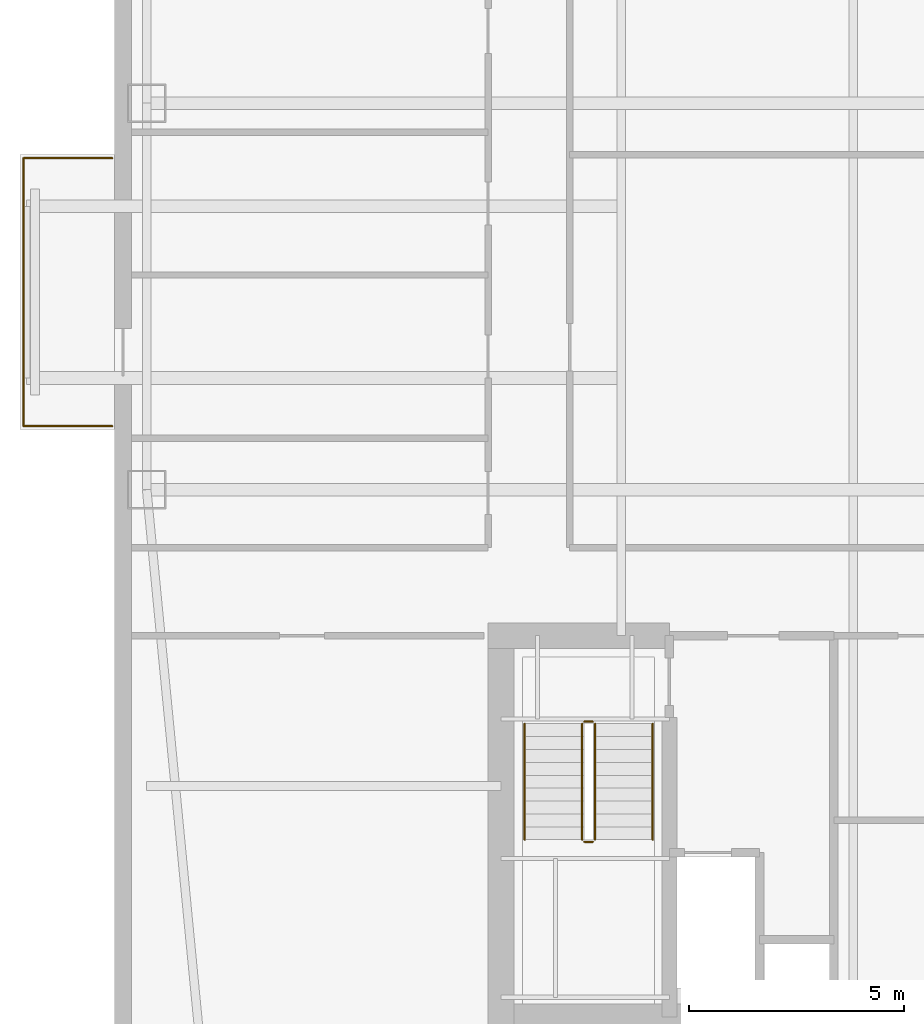
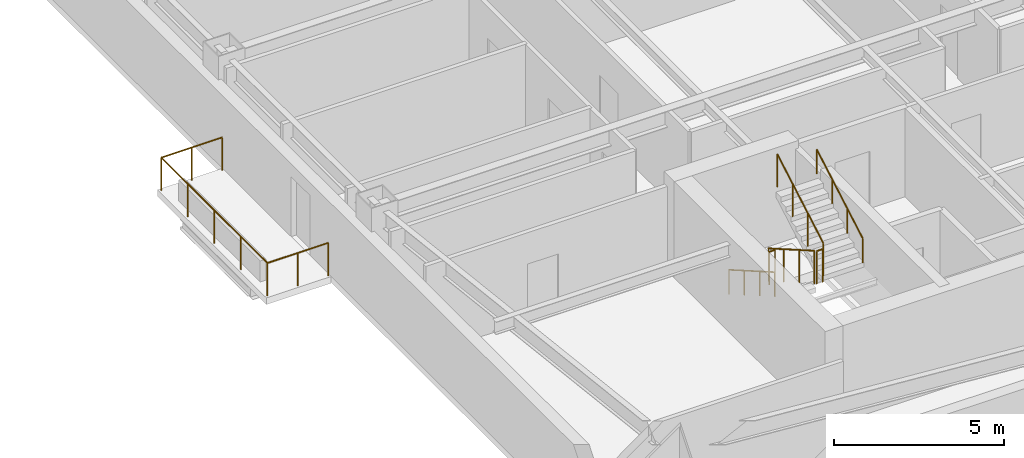
# One storey, part 12 of 15: 7 railings.
"""IFC4 building model written with IfcOpenShell, lengths in metres."""

from ifc_helpers import new_model, si_unit, direction, frame, origin, origin_2d, place, context, subcontext, project, spatial, circle, extrude, material, type_object, element, save


model = new_model("IFC4")

# Units and contexts
model_context = context("Model", 3, precision=1e-05, world=origin(), true_north=direction((0.0, 1.0)))
body_context = subcontext(model_context, "Body", "Model", "MODEL_VIEW")
ifc_project = project(units=[si_unit("LENGTHUNIT", "METRE"), si_unit("AREAUNIT", "SQUARE_METRE"), si_unit("VOLUMEUNIT", "CUBIC_METRE"), si_unit("PLANEANGLEUNIT", "RADIAN"), si_unit("MASSUNIT", "GRAM", prefix="KILO")], contexts=[model_context])

# Site, building, storey
site_placement = place(None, origin())
site = spatial("IfcSite", under=ifc_project, at=site_placement, CompositionType="ELEMENT")
building_placement = place(site_placement, origin())
building = spatial("IfcBuilding", under=site, at=building_placement, Name="Qiaolan Cultural Towers", CompositionType="ELEMENT")
storey_placement = place(building_placement, frame((0.0, 0.0, 166.75)))
storey = spatial("IfcBuildingStorey", under=building, at=storey_placement, Name="L44", CompositionType="ELEMENT", Elevation=166.75)

# Railings
ifc_material_1 = material(Name="Laminated SentryGlas & Stainless Steel S31608 Balustrade", Category="steel")
railing_type_1 = type_object("IfcRailingType", Name="GRD-TERR-1200", PredefinedType="BALUSTRADE", material=ifc_material_1)
railing_1_placement = place(storey_placement, frame((12.75, 26.47998046875, 0.0)))
element("IfcRailing", 1, at=railing_1_placement, inside=storey, type_object=railing_type_1, Name="L44 T1 Tree Balcony Guardrail W", PredefinedType="BALUSTRADE", context=body_context, shape_type="SweptSolid", body=[
    extrude(circle(Radius=0.02392578125, at=origin_2d()), frame((0.0, 0.0, 1.17578125), z_axis=(-1.0, 0.0, 0.0), x_axis=(0.0, -1.0, 0.0)), (0.0, 0.0, 1.0), 2.070068359375),
    extrude(circle(Radius=0.02392578125, at=origin_2d()), frame((-2.070068359375, 0.0, 1.17578125), z_axis=(0.0, 1.0, 0.0), x_axis=(-1.0, 0.0, 0.0)), (0.0, 0.0, 1.0), 6.239990234375),
    extrude(circle(Radius=0.02392578125, at=origin_2d()), frame((-2.070068359375, 6.239990234375, 1.17578125), z_axis=(1.0, 0.0, 0.0), x_axis=(0.0, 1.0, 0.0)), (0.0, 0.0, 1.0), 2.070068359375),
    extrude(circle(Radius=0.02099609375, at=origin_2d()), origin(), (0.0, 0.0, 1.0), 1.15185546875),
    extrude(circle(Radius=0.02099609375, at=origin_2d()), frame((-1.03515625, 0.0, 0.0)), (0.0, 0.0, 1.0), 1.15185546875),
    extrude(circle(Radius=0.02099609375, at=origin_2d()), frame((-2.070068359375, 0.0, 0.0)), (0.0, 0.0, 1.0), 1.15185546875),
    extrude(circle(Radius=0.02099609375, at=origin_2d()), frame((-2.070068359375, 1.56005859375, 0.0)), (0.0, 0.0, 1.0), 1.15185546875),
    extrude(circle(Radius=0.02099609375, at=origin_2d()), frame((-2.070068359375, 3.1201171875, 0.0)), (0.0, 0.0, 1.0), 1.15185546875),
    extrude(circle(Radius=0.02099609375, at=origin_2d()), frame((-2.070068359375, 4.679931640625, 0.0)), (0.0, 0.0, 1.0), 1.15185546875),
    extrude(circle(Radius=0.02099609375, at=origin_2d()), frame((-2.070068359375, 6.239990234375, 0.0)), (0.0, 0.0, 1.0), 1.15185546875),
    extrude(circle(Radius=0.02099609375, at=origin_2d()), frame((-1.03515625, 6.239990234375, 0.0)), (0.0, 0.0, 1.0), 1.15185546875),
    extrude(circle(Radius=0.02099609375, at=origin_2d()), frame((0.0, 6.239990234375, 0.0)), (0.0, 0.0, 1.0), 1.15185546875),
])
ifc_material_2 = material(Name="Galvanized Painted Steel Stair Guardrail", Category="steel")
railing_type_2 = type_object("IfcRailingType", Name="RL-STAIR-GRD", PredefinedType="GUARDRAIL", material=ifc_material_2)
railing_2_placement = place(storey_placement, frame((23.68994140625, 19.550048828125, 0.172607421875)))
element("IfcRailing", 2, at=railing_2_placement, inside=storey, type_object=railing_type_2, Name="L44 ST-W1 stair guard 1", PredefinedType="GUARDRAIL", context=body_context, shape_type="SweptSolid", body=[
    extrude(circle(Radius=0.02392578125, at=origin_2d()), frame((0.0, 0.0, 1.17578125), z_axis=(0.0, -0.866903762492, 0.498475542607), x_axis=(1.0, 0.0, 0.0)), (0.0, 0.0, 1.0), 3.114501953125),
    extrude(circle(Radius=0.02099609375, at=origin_2d()), origin(), (0.0, 0.0, 1.0), 1.15185546875),
    extrude(circle(Radius=0.02099609375, at=origin_2d()), frame((0.0, -0.89990234375, 0.517578125)), (0.0, 0.0, 1.0), 1.15185546875),
    extrude(circle(Radius=0.02099609375, at=origin_2d()), frame((0.0, -1.800048828125, 1.034912109375)), (0.0, 0.0, 1.0), 1.15185546875),
    extrude(circle(Radius=0.02099609375, at=origin_2d()), frame((0.0, -2.699951171875, 1.552490234375)), (0.0, 0.0, 1.0), 1.15185546875),
])
railing_3_placement = place(storey_placement, frame((23.739990234375, 16.800048828125, 1.72509765625)))
element("IfcRailing", 3, at=railing_3_placement, inside=storey, type_object=railing_type_2, Name="L44 ST-W1 stair guard 2", PredefinedType="GUARDRAIL", context=body_context, shape_type="SweptSolid", body=[
    extrude(circle(Radius=0.02392578125, at=origin_2d()), frame((0.0, 0.0, 1.17578125), z_axis=(1.0, 0.0, 0.0), x_axis=(0.0, 1.0, 0.0)), (0.0, 0.0, 1.0), 0.199951171875),
    extrude(circle(Radius=0.02099609375, at=origin_2d()), origin(), (0.0, 0.0, 1.0), 1.15185546875),
    extrude(circle(Radius=0.02099609375, at=origin_2d()), frame((0.199951171875, 0.0, 0.0)), (0.0, 0.0, 1.0), 1.15185546875),
])
railing_4_placement = place(storey_placement, frame((23.989990234375, 16.85009765625, 1.8974609375)))
element("IfcRailing", 4, at=railing_4_placement, inside=storey, type_object=railing_type_2, Name="L44 ST-W1 stair guard 3", PredefinedType="GUARDRAIL", context=body_context, shape_type="SweptSolid", body=[
    extrude(circle(Radius=0.02392578125, at=origin_2d()), frame((0.0, 0.0, 1.17578125), z_axis=(0.0, 0.866903762492, 0.498475542607), x_axis=(-1.0, 0.0, 0.0)), (0.0, 0.0, 1.0), 3.114501953125),
    extrude(circle(Radius=0.02099609375, at=origin_2d()), origin(), (0.0, 0.0, 1.0), 1.15185546875),
    extrude(circle(Radius=0.02099609375, at=origin_2d()), frame((0.0, 0.89990234375, 0.517578125)), (0.0, 0.0, 1.0), 1.15185546875),
    extrude(circle(Radius=0.02099609375, at=origin_2d()), frame((0.0, 1.800048828125, 1.034912109375)), (0.0, 0.0, 1.0), 1.15185546875),
    extrude(circle(Radius=0.02099609375, at=origin_2d()), frame((0.0, 2.699951171875, 1.552490234375)), (0.0, 0.0, 1.0), 1.15185546875),
])
railing_5_placement = place(storey_placement, frame((23.739990234375, 19.60009765625, 0.0)))
element("IfcRailing", 5, at=railing_5_placement, inside=storey, type_object=railing_type_2, Name="L44 ST-W1 stair guard 4", PredefinedType="GUARDRAIL", context=body_context, shape_type="SweptSolid", body=[
    extrude(circle(Radius=0.02392578125, at=origin_2d()), frame((0.0, 0.0, 1.17578125), z_axis=(1.0, 0.0, 0.0), x_axis=(0.0, 1.0, 0.0)), (0.0, 0.0, 1.0), 0.199951171875),
    extrude(circle(Radius=0.02099609375, at=origin_2d()), origin(), (0.0, 0.0, 1.0), 1.15185546875),
    extrude(circle(Radius=0.02099609375, at=origin_2d()), frame((0.199951171875, 0.0, 0.0)), (0.0, 0.0, 1.0), 1.15185546875),
])
ifc_material_3 = material(Name="Stainless Steel S30408 Tubular Handrail", Category="steel")
railing_type_3 = type_object("IfcRailingType", Name="RL-STAIR-HR", PredefinedType="HANDRAIL", material=ifc_material_3)
railing_6_placement = place(storey_placement, frame((22.35009765625, 19.550048828125, 0.172607421875)))
element("IfcRailing", 6, at=railing_6_placement, inside=storey, type_object=railing_type_3, Name="L44 ST-W1 stair handrail 1", PredefinedType="HANDRAIL", context=body_context, shape_type="SweptSolid", body=[
    extrude(circle(Radius=0.02392578125, at=origin_2d()), frame((0.0, 0.0, 0.8759765625), z_axis=(0.0, -0.866903762492, 0.498475542607), x_axis=(1.0, 0.0, 0.0)), (0.0, 0.0, 1.0), 3.114501953125),
    extrude(circle(Radius=0.02099609375, at=origin_2d()), origin(), (0.0, 0.0, 1.0), 0.851806640625),
    extrude(circle(Radius=0.02099609375, at=origin_2d()), frame((0.0, -0.89990234375, 0.517578125)), (0.0, 0.0, 1.0), 0.851806640625),
    extrude(circle(Radius=0.02099609375, at=origin_2d()), frame((0.0, -1.800048828125, 1.034912109375)), (0.0, 0.0, 1.0), 0.851806640625),
    extrude(circle(Radius=0.02099609375, at=origin_2d()), frame((0.0, -2.699951171875, 1.552490234375)), (0.0, 0.0, 1.0), 0.851806640625),
])
railing_7_placement = place(storey_placement, frame((25.330078125, 16.85009765625, 1.8974609375)))
element("IfcRailing", 7, at=railing_7_placement, inside=storey, type_object=railing_type_3, Name="L44 ST-W1 stair handrail 2", PredefinedType="HANDRAIL", context=body_context, shape_type="SweptSolid", body=[
    extrude(circle(Radius=0.02392578125, at=origin_2d()), frame((0.0, 0.0, 0.8759765625), z_axis=(0.0, 0.866903762492, 0.498475542607), x_axis=(-1.0, 0.0, 0.0)), (0.0, 0.0, 1.0), 3.114501953125),
    extrude(circle(Radius=0.02099609375, at=origin_2d()), origin(), (0.0, 0.0, 1.0), 0.851806640625),
    extrude(circle(Radius=0.02099609375, at=origin_2d()), frame((0.0, 0.89990234375, 0.517578125)), (0.0, 0.0, 1.0), 0.851806640625),
    extrude(circle(Radius=0.02099609375, at=origin_2d()), frame((0.0, 1.800048828125, 1.034912109375)), (0.0, 0.0, 1.0), 0.851806640625),
    extrude(circle(Radius=0.02099609375, at=origin_2d()), frame((0.0, 2.699951171875, 1.552490234375)), (0.0, 0.0, 1.0), 0.851806640625),
])

save(model, "model.ifc")
